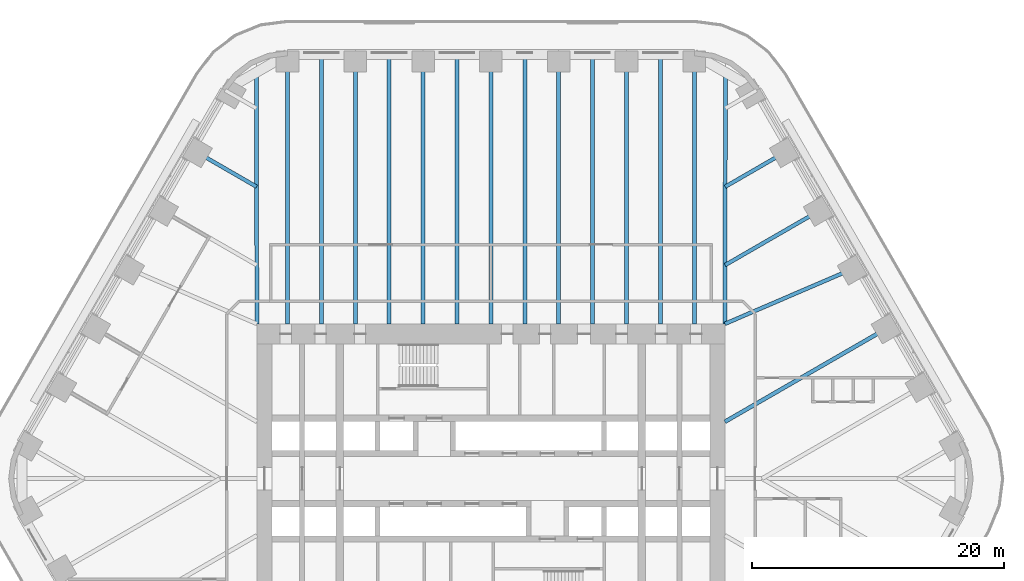
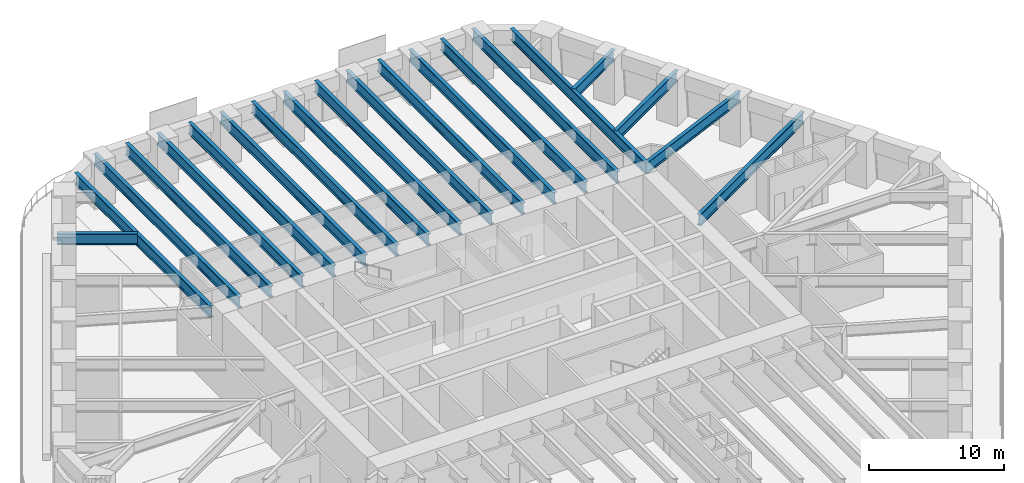
# One storey, part 10 of 24: 20 beams.
"""IFC4 building model written with IfcOpenShell, lengths in metres."""

from ifc_helpers import new_model, si_unit, direction, frame, origin, origin_2d, place, context, subcontext, project, spatial, i_section, extrude, material, material_profile, profile_set, type_object, element, save


model = new_model("IFC4")

# Units and contexts
model_context = context("Model", 3, precision=1e-05, world=origin(), true_north=direction((0.0, 1.0)))
body_context = subcontext(model_context, "Body", "Model", "MODEL_VIEW")
ifc_project = project(units=[si_unit("LENGTHUNIT", "METRE"), si_unit("AREAUNIT", "SQUARE_METRE"), si_unit("VOLUMEUNIT", "CUBIC_METRE"), si_unit("PLANEANGLEUNIT", "RADIAN"), si_unit("MASSUNIT", "GRAM", prefix="KILO")], contexts=[model_context])

# Site, building, storey
site_placement = place(None, origin())
site = spatial("IfcSite", under=ifc_project, at=site_placement, CompositionType="ELEMENT")
building_placement = place(site_placement, origin())
building = spatial("IfcBuilding", under=site, at=building_placement, Name="Tarfa Lantern Tower", CompositionType="ELEMENT")
storey_placement = place(building_placement, frame((0.0, 0.0, 94.89990234375)))
storey = spatial("IfcBuildingStorey", under=building, at=storey_placement, Name="L21", CompositionType="ELEMENT", Elevation=94.89990234375)

# Beams
ifc_material = material(Name="Steel S460M", Category="steel")
ifc_material_profile_1 = material_profile(ifc_material, i_section(OverallWidth=0.302001953125, OverallDepth=1.008056640625, WebThickness=0.02099609375, FlangeThickness=0.0400390625, FilletRadius=0.030029296875, at=origin_2d()), Name="UB1016x305x349")
ifc_profile_set_1 = profile_set([ifc_material_profile_1], Name="Steel S460M")
beam_type_1 = type_object("IfcBeamType", Name="UB1016x305x349", PredefinedType="BEAM", material=ifc_profile_set_1)
beam_1_placement = place(storey_placement, frame((29.202392578125, 16.860107421875, 3.49609375), z_axis=(-0.918635483867, -0.395106122175, 0.0), x_axis=(0.395106122175, -0.918635483867, 0.0)))
element("IfcBeam", 1, at=beam_1_placement, inside=storey, type_object=beam_type_1, Name="Floor beam NE3", PredefinedType="BEAM", context=body_context, shape_type="SweptSolid", body=[
    extrude(i_section(OverallWidth=0.302001953125, OverallDepth=1.008056640625, WebThickness=0.02099609375, FlangeThickness=0.0400390625, FilletRadius=0.030029296875, at=origin_2d()), origin(), (0.0, 0.0, 1.0), 11.541259765625),
])
beam_2_placement = place(storey_placement, frame((26.508056640625, 21.526611328125, 3.49609375), z_axis=(-0.866035355799, -0.49998276221, 0.0), x_axis=(0.49998276221, -0.866035355799, 0.0)))
element("IfcBeam", 2, at=beam_2_placement, inside=storey, type_object=beam_type_1, Name="Floor beam NE4", PredefinedType="BEAM", context=body_context, shape_type="SweptSolid", body=[
    extrude(i_section(OverallWidth=0.302001953125, OverallDepth=1.008056640625, WebThickness=0.02099609375, FlangeThickness=0.0400390625, FilletRadius=0.030029296875, at=origin_2d()), origin(), (0.0, 0.0, 1.0), 9.119873046875),
])
for number, where, z_axis, x_axis, name in (
    (3, (23.813720703125, 26.193359375, 3.49609375), (-0.866015997389, -0.500016292001, 0.0), (0.500016292001, -0.866015997389, 0.0), "Floor beam NE5"),
    (4, (-23.813720703125, 26.193359375, 3.49609375), (0.866015997389, -0.500016292001, 0.0), (0.500016292001, 0.866015997389, 0.0), "Floor beam NW1"),
):
    element("IfcBeam", number, at=place(storey_placement, frame(where, z_axis=z_axis, x_axis=x_axis)), inside=storey, type_object=beam_type_1, Name=name, PredefinedType="BEAM", context=body_context, shape_type="SweptSolid", body=[
        extrude(i_section(OverallWidth=0.302001953125, OverallDepth=1.008056640625, WebThickness=0.02099609375, FlangeThickness=0.0400390625, FilletRadius=0.030029296875, at=origin_2d()), origin(), (0.0, 0.0, 1.0), 5.993408203125),
    ])
ifc_material_profile_2 = material_profile(ifc_material, i_section(OverallWidth=0.314208984375, OverallDepth=1.055908203125, WebThickness=0.035888671875, FlangeThickness=0.06396484375, FilletRadius=0.030029296875, at=origin_2d()), Name="UB1016x305x584")
ifc_profile_set_2 = profile_set([ifc_material_profile_2], Name="Steel S460M")
beam_type_2 = type_object("IfcBeamType", Name="UB1016x305x584", PredefinedType="BEAM", material=ifc_profile_set_2)
for number, where, z_axis, x_axis, name in (
    (5, (18.60009765625, 12.300048828125, 3.47216796875), (0.00212508222, 0.99999774201, 0.0), (-0.99999774201, 0.00212508222, 0.0), "Hip girder NE"),
    (6, (-18.60009765625, 12.300048828125, 3.47216796875), (-0.00212508222, 0.99999774201, 0.0), (-0.99999774201, -0.00212508222, 0.0), "Hip girder NW"),
):
    element("IfcBeam", number, at=place(storey_placement, frame(where, z_axis=z_axis, x_axis=x_axis)), inside=storey, type_object=beam_type_2, Name=name, PredefinedType="BEAM", context=body_context, shape_type="SweptSolid", body=[
        extrude(i_section(OverallWidth=0.314208984375, OverallDepth=1.055908203125, WebThickness=0.035888671875, FlangeThickness=0.06396484375, FilletRadius=0.030029296875, at=origin_2d()), origin(), (0.0, 0.0, 1.0), 19.989990234375),
    ])
beam_3_placement = place(storey_placement, frame((31.896728515625, 12.193359375, 3.47216796875), z_axis=(-0.866026971665, -0.499997284341, 0.0), x_axis=(0.499997284341, -0.866026971665, 0.0)))
element("IfcBeam", 7, at=beam_3_placement, inside=storey, type_object=beam_type_2, Name="Floor beam NE2", PredefinedType="BEAM", context=body_context, shape_type="SweptSolid", body=[
    extrude(i_section(OverallWidth=0.314208984375, OverallDepth=1.055908203125, WebThickness=0.035888671875, FlangeThickness=0.06396484375, FilletRadius=0.030029296875, at=origin_2d()), origin(), (0.0, 0.0, 1.0), 15.353515625),
])
for number, where, z_axis, x_axis, name in (
    (8, (16.165771484375, 33.719970703125, 3.47216796875), (0.0, -1.0, 0.0), (1.0, 0.0, 0.0), "Floor beam N0"),
    (9, (10.777099609375, 33.719970703125, 3.47216796875), (0.0, -1.0, 0.0), (1.0, 0.0, 0.0), "Floor beam N1"),
    (10, (5.388671875, 33.719970703125, 3.47216796875), (0.0, -1.0, 0.0), (1.0, 0.0, 0.0), "Floor beam N2"),
    (11, (0.0, 33.719970703125, 3.47216796875), (0.0, -1.0, 0.0), (1.0, 0.0, 0.0), "Floor beam N3"),
    (12, (-5.388671875, 33.719970703125, 3.47216796875), (0.0, -1.0, 0.0), (1.0, 0.0, 0.0), "Floor beam N4"),
    (13, (-10.777099609375, 33.719970703125, 3.47216796875), (0.0, -1.0, 0.0), (1.0, 0.0, 0.0), "Floor beam N5"),
    (14, (-16.165771484375, 33.719970703125, 3.47216796875), (0.0, -1.0, 0.0), (1.0, 0.0, 0.0), "Floor beam N6"),
    (15, (13.471435546875, 33.719970703125, 3.47216796875), (0.0, -1.0, 0.0), (1.0, 0.0, 0.0), "Floor beam N0M"),
    (16, (8.0830078125, 33.719970703125, 3.47216796875), (0.0, -1.0, 0.0), (1.0, 0.0, 0.0), "Floor beam N1M"),
    (17, (2.6943359375, 33.719970703125, 3.47216796875), (0.0, -1.0, 0.0), (1.0, 0.0, 0.0), "Floor beam N2M"),
    (18, (-2.6943359375, 33.719970703125, 3.47216796875), (0.0, -1.0, 0.0), (1.0, 0.0, 0.0), "Floor beam N3M"),
    (19, (-8.0830078125, 33.719970703125, 3.47216796875), (0.0, -1.0, 0.0), (1.0, 0.0, 0.0), "Floor beam N4M"),
    (20, (-13.471435546875, 33.719970703125, 3.47216796875), (0.0, -1.0, 0.0), (1.0, 0.0, 0.0), "Floor beam N5M"),
):
    element("IfcBeam", number, at=place(storey_placement, frame(where, z_axis=z_axis, x_axis=x_axis)), inside=storey, type_object=beam_type_2, Name=name, PredefinedType="BEAM", context=body_context, shape_type="SweptSolid", body=[
        extrude(i_section(OverallWidth=0.314208984375, OverallDepth=1.055908203125, WebThickness=0.035888671875, FlangeThickness=0.06396484375, FilletRadius=0.030029296875, at=origin_2d()), origin(), (0.0, 0.0, 1.0), 21.419921875),
    ])

save(model, "model.ifc")
